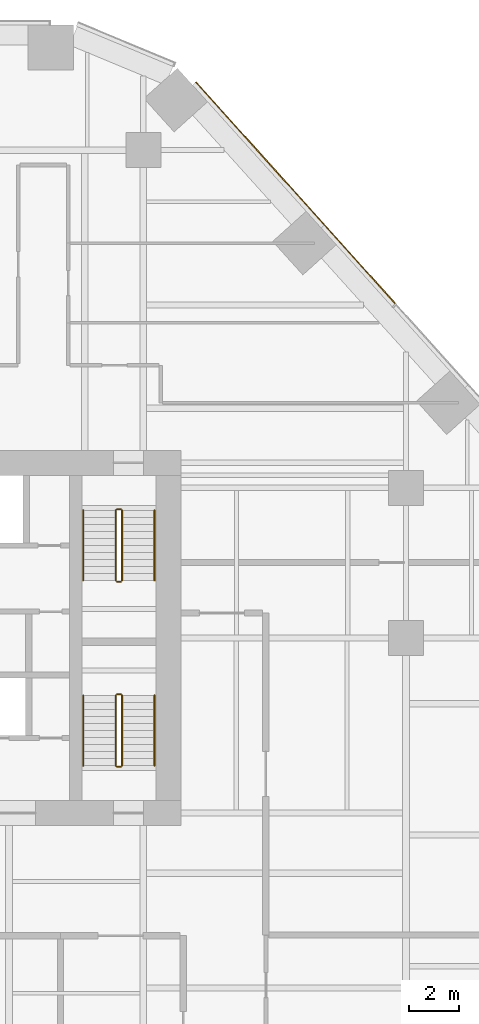
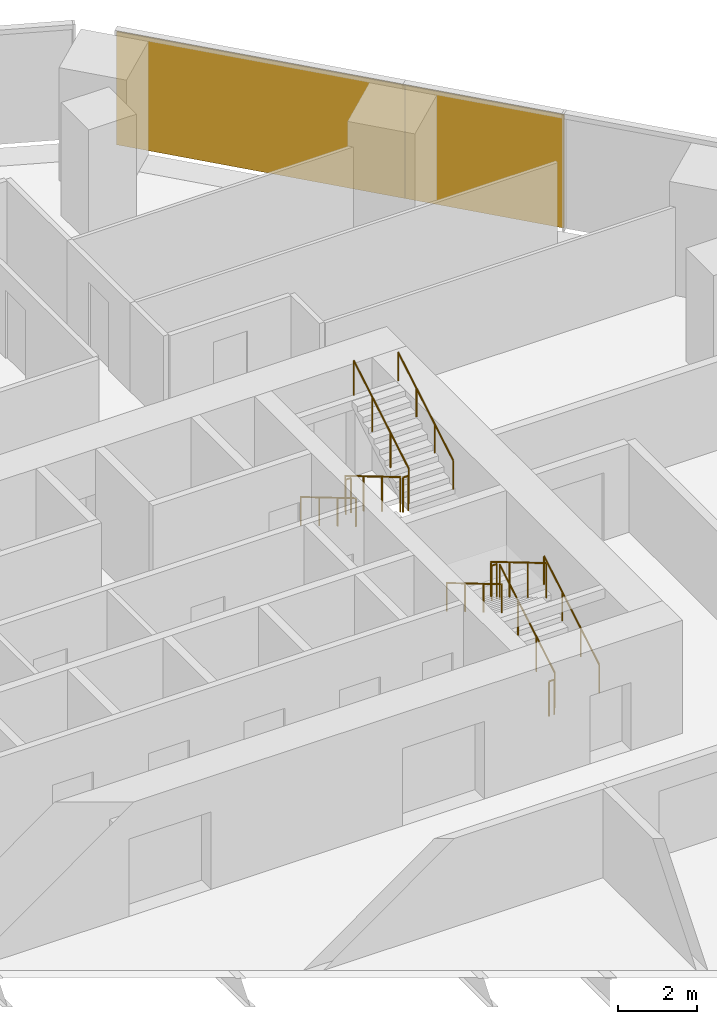
# One storey, part 19 of 20: 12 railings, 2 coverings, 1 element without a shape of its own.
"""IFC4 building model written with IfcOpenShell, lengths in metres."""

from ifc_helpers import new_model, si_unit, direction, frame, origin, origin_2d, place, context, subcontext, project, spatial, rectangle, circle, extrude, material, layer, layer_set, type_object, element, aggregate, save


model = new_model("IFC4")

# Units and contexts
model_context = context("Model", 3, precision=1e-05, world=origin(), true_north=direction((0.0, 1.0)))
body_context = subcontext(model_context, "Body", "Model", "MODEL_VIEW")
ifc_project = project(units=[si_unit("LENGTHUNIT", "METRE"), si_unit("AREAUNIT", "SQUARE_METRE"), si_unit("VOLUMEUNIT", "CUBIC_METRE"), si_unit("PLANEANGLEUNIT", "RADIAN"), si_unit("MASSUNIT", "GRAM", prefix="KILO")], contexts=[model_context])

# Site, building, storey
site_placement = place(None, origin())
site = spatial("IfcSite", under=ifc_project, at=site_placement, CompositionType="ELEMENT")
building_placement = place(site_placement, origin())
building = spatial("IfcBuilding", under=site, at=building_placement, Name="Isthmus Gate Tower", CompositionType="ELEMENT")
storey_placement = place(building_placement, frame((0.0, 0.0, 43.300048828125)))
storey = spatial("IfcBuildingStorey", under=building, at=storey_placement, Name="L08", CompositionType="ELEMENT", Elevation=43.300048828125)

# Curtain wall, coverings
ifc_material_1 = material(Name="Aluminium, pale champagne anodised", Category="aluminium")
ifc_layer_1 = layer(ifc_material_1, 0.199951171875)
ifc_layer_set_1 = layer_set([ifc_layer_1], Name="CW-1 UNITISED CURTAIN WALL 200 DEEP")
curtain_wall_type = type_object("IfcCurtainWallType", Name="CW-1 UNITISED CURTAIN WALL 200 DEEP", PredefinedType="NOTDEFINED", material=ifc_layer_set_1)
curtain_wall_placement = place(storey_placement, origin())
curtain_wall = element("IfcCurtainWall", 1, at=curtain_wall_placement, inside=storey, type_object=curtain_wall_type, Name="CW-1 NE L08", PredefinedType="NOTDEFINED")
ifc_material_2 = material(Name="Aluminium composite panel, pale champagne anodised", Category="aluminium")
ifc_layer_2 = layer(ifc_material_2, 0.0400390625)
ifc_layer_set_2 = layer_set([ifc_layer_2], Name="CW-1 PALE METAL PANEL 40")
covering_type = type_object("IfcCoveringType", Name="CW-1 PALE METAL PANEL 40", PredefinedType="CLADDING", material=ifc_layer_set_2)
covering_1_placement = place(storey_placement, frame((22.1630859375, 22.4326171875, 0.0), z_axis=(0.0, 0.0, 1.0), x_axis=(-0.669130606359, 0.743144825477, 0.0)))
covering_1 = element("IfcCovering", 2, at=covering_1_placement, type_object=covering_type, Name="CW-1 pale metal panel", PredefinedType="CLADDING", context=body_context, shape_type="SweptSolid", body=[
    extrude(rectangle(XDim=4.234619140625, YDim=0.0400390625, at=origin_2d()), origin(), (0.0, 0.0, 1.0), 3.5),
])
covering_2_placement = place(storey_placement, frame((18.173583984375, 26.86328125, 0.0), z_axis=(0.0, 0.0, 1.0), x_axis=(-0.669130606359, 0.743144825477, 0.0)))
covering_2 = element("IfcCovering", 3, at=covering_2_placement, type_object=covering_type, Name="CW-1 pale metal panel", PredefinedType="CLADDING", context=body_context, shape_type="SweptSolid", body=[
    extrude(rectangle(XDim=7.689453125, YDim=0.0400390625, at=origin_2d()), origin(), (0.0, 0.0, 1.0), 3.5),
])
aggregate(curtain_wall, [covering_1, covering_2])

# Railings
ifc_material_3 = material(Name="Stainless steel balustrade", Category="steel")
railing_type_1 = type_object("IfcRailingType", Name="STAIR GUARD 1100", PredefinedType="GUARDRAIL", material=ifc_material_3)
railing_1_placement = place(storey_placement, frame((12.39990234375, 12.60009765625, 0.165771484375)))
element("IfcRailing", 4, at=railing_1_placement, inside=storey, type_object=railing_type_1, Name="L08 ST2 stair guard 1", PredefinedType="GUARDRAIL", context=body_context, shape_type="SweptSolid", body=[
    extrude(circle(Radius=0.02392578125, at=origin_2d()), frame((0.0, 0.0, 1.076171875), z_axis=(0.0, -0.860306154799, 0.50977771628), x_axis=(1.0, 0.0, 0.0)), (0.0, 0.0, 1.0), 3.254638671875),
    extrude(circle(Radius=0.02099609375, at=origin_2d()), origin(), (0.0, 0.0, 1.0), 1.052001953125),
    extrude(circle(Radius=0.02099609375, at=origin_2d()), frame((0.0, -0.933349609375, 0.552978515625)), (0.0, 0.0, 1.0), 1.052001953125),
    extrude(circle(Radius=0.02099609375, at=origin_2d()), frame((0.0, -1.86669921875, 1.106201171875)), (0.0, 0.0, 1.0), 1.052001953125),
    extrude(circle(Radius=0.02099609375, at=origin_2d()), frame((0.0, -2.800048828125, 1.6591796875)), (0.0, 0.0, 1.0), 1.052001953125),
])
railing_2_placement = place(storey_placement, frame((12.449951171875, 9.75, 1.824951171875)))
element("IfcRailing", 5, at=railing_2_placement, inside=storey, type_object=railing_type_1, Name="L08 ST2 stair guard 2", PredefinedType="GUARDRAIL", context=body_context, shape_type="SweptSolid", body=[
    extrude(circle(Radius=0.02392578125, at=origin_2d()), frame((0.0, 0.0, 1.076171875), z_axis=(1.0, 0.0, 0.0), x_axis=(0.0, 1.0, 0.0)), (0.0, 0.0, 1.0), 0.150146484375),
    extrude(circle(Radius=0.02099609375, at=origin_2d()), origin(), (0.0, 0.0, 1.0), 1.052001953125),
    extrude(circle(Radius=0.02099609375, at=origin_2d()), frame((0.150146484375, 0.0, 0.0)), (0.0, 0.0, 1.0), 1.052001953125),
])
railing_3_placement = place(storey_placement, frame((12.64990234375, 9.800048828125, 1.990966796875)))
element("IfcRailing", 6, at=railing_3_placement, inside=storey, type_object=railing_type_1, Name="L08 ST2 stair guard 3", PredefinedType="GUARDRAIL", context=body_context, shape_type="SweptSolid", body=[
    extrude(circle(Radius=0.02392578125, at=origin_2d()), frame((0.0, 0.0, 1.076171875), z_axis=(0.0, 0.860339051648, 0.50972219513), x_axis=(-1.0, 0.0, 0.0)), (0.0, 0.0, 1.0), 3.254638671875),
    extrude(circle(Radius=0.02099609375, at=origin_2d()), origin(), (0.0, 0.0, 1.0), 1.052001953125),
    extrude(circle(Radius=0.02099609375, at=origin_2d()), frame((0.0, 0.933349609375, 0.552978515625)), (0.0, 0.0, 1.0), 1.052001953125),
    extrude(circle(Radius=0.02099609375, at=origin_2d()), frame((0.0, 1.86669921875, 1.10595703125)), (0.0, 0.0, 1.0), 1.052001953125),
    extrude(circle(Radius=0.02099609375, at=origin_2d()), frame((0.0, 2.800048828125, 1.658935546875)), (0.0, 0.0, 1.0), 1.052001953125),
])
railing_4_placement = place(storey_placement, frame((12.449951171875, 12.64990234375, 0.0)))
element("IfcRailing", 7, at=railing_4_placement, inside=storey, type_object=railing_type_1, Name="L08 ST2 stair guard 4", PredefinedType="GUARDRAIL", context=body_context, shape_type="SweptSolid", body=[
    extrude(circle(Radius=0.02392578125, at=origin_2d()), frame((0.0, 0.0, 1.076171875), z_axis=(1.0, 0.0, 0.0), x_axis=(0.0, 1.0, 0.0)), (0.0, 0.0, 1.0), 0.150146484375),
    extrude(circle(Radius=0.02099609375, at=origin_2d()), origin(), (0.0, 0.0, 1.0), 1.052001953125),
    extrude(circle(Radius=0.02099609375, at=origin_2d()), frame((0.150146484375, 0.0, 0.0)), (0.0, 0.0, 1.0), 1.052001953125),
])
railing_5_placement = place(storey_placement, frame((12.64990234375, 2.39990234375, 0.165771484375)))
element("IfcRailing", 8, at=railing_5_placement, inside=storey, type_object=railing_type_1, Name="L08 ST8 stair guard 1", PredefinedType="GUARDRAIL", context=body_context, shape_type="SweptSolid", body=[
    extrude(circle(Radius=0.02392578125, at=origin_2d()), frame((0.0, 0.0, 1.076171875), z_axis=(0.0, 0.860306154799, 0.50977771628), x_axis=(-1.0, 0.0, 0.0)), (0.0, 0.0, 1.0), 3.254638671875),
    extrude(circle(Radius=0.02099609375, at=origin_2d()), origin(), (0.0, 0.0, 1.0), 1.052001953125),
    extrude(circle(Radius=0.02099609375, at=origin_2d()), frame((0.0, 0.933349609375, 0.552978515625)), (0.0, 0.0, 1.0), 1.052001953125),
    extrude(circle(Radius=0.02099609375, at=origin_2d()), frame((0.0, 1.86669921875, 1.106201171875)), (0.0, 0.0, 1.0), 1.052001953125),
    extrude(circle(Radius=0.02099609375, at=origin_2d()), frame((0.0, 2.800048828125, 1.6591796875)), (0.0, 0.0, 1.0), 1.052001953125),
])
railing_6_placement = place(storey_placement, frame((12.60009765625, 5.25, 1.824951171875)))
element("IfcRailing", 9, at=railing_6_placement, inside=storey, type_object=railing_type_1, Name="L08 ST8 stair guard 2", PredefinedType="GUARDRAIL", context=body_context, shape_type="SweptSolid", body=[
    extrude(circle(Radius=0.02392578125, at=origin_2d()), frame((0.0, 0.0, 1.076171875), z_axis=(-1.0, 0.0, 0.0), x_axis=(0.0, -1.0, 0.0)), (0.0, 0.0, 1.0), 0.150146484375),
    extrude(circle(Radius=0.02099609375, at=origin_2d()), origin(), (0.0, 0.0, 1.0), 1.052001953125),
    extrude(circle(Radius=0.02099609375, at=origin_2d()), frame((-0.150146484375, 0.0, 0.0)), (0.0, 0.0, 1.0), 1.052001953125),
])
railing_7_placement = place(storey_placement, frame((12.39990234375, 5.199951171875, 1.990966796875)))
element("IfcRailing", 10, at=railing_7_placement, inside=storey, type_object=railing_type_1, Name="L08 ST8 stair guard 3", PredefinedType="GUARDRAIL", context=body_context, shape_type="SweptSolid", body=[
    extrude(circle(Radius=0.02392578125, at=origin_2d()), frame((0.0, 0.0, 1.076171875), z_axis=(0.0, -0.860339051648, 0.50972219513), x_axis=(1.0, 0.0, 0.0)), (0.0, 0.0, 1.0), 3.254638671875),
    extrude(circle(Radius=0.02099609375, at=origin_2d()), origin(), (0.0, 0.0, 1.0), 1.052001953125),
    extrude(circle(Radius=0.02099609375, at=origin_2d()), frame((0.0, -0.933349609375, 0.552978515625)), (0.0, 0.0, 1.0), 1.052001953125),
    extrude(circle(Radius=0.02099609375, at=origin_2d()), frame((0.0, -1.86669921875, 1.10595703125)), (0.0, 0.0, 1.0), 1.052001953125),
    extrude(circle(Radius=0.02099609375, at=origin_2d()), frame((0.0, -2.800048828125, 1.658935546875)), (0.0, 0.0, 1.0), 1.052001953125),
])
railing_8_placement = place(storey_placement, frame((12.60009765625, 2.35009765625, 0.0)))
element("IfcRailing", 11, at=railing_8_placement, inside=storey, type_object=railing_type_1, Name="L08 ST8 stair guard 4", PredefinedType="GUARDRAIL", context=body_context, shape_type="SweptSolid", body=[
    extrude(circle(Radius=0.02392578125, at=origin_2d()), frame((0.0, 0.0, 1.076171875), z_axis=(-1.0, 0.0, 0.0), x_axis=(0.0, -1.0, 0.0)), (0.0, 0.0, 1.0), 0.150146484375),
    extrude(circle(Radius=0.02099609375, at=origin_2d()), origin(), (0.0, 0.0, 1.0), 1.052001953125),
    extrude(circle(Radius=0.02099609375, at=origin_2d()), frame((-0.150146484375, 0.0, 0.0)), (0.0, 0.0, 1.0), 1.052001953125),
])
ifc_material_4 = material(Name="Stainless steel handrail", Category="steel")
railing_type_2 = type_object("IfcRailingType", Name="STAIR HANDRAIL 900", PredefinedType="HANDRAIL", material=ifc_material_4)
railing_9_placement = place(storey_placement, frame((11.10009765625, 12.60009765625, 0.165771484375)))
element("IfcRailing", 12, at=railing_9_placement, inside=storey, type_object=railing_type_2, Name="L08 ST2 stair handrail 1", PredefinedType="HANDRAIL", context=body_context, shape_type="SweptSolid", body=[
    extrude(circle(Radius=0.02392578125, at=origin_2d()), frame((0.0, 0.0, 0.8759765625), z_axis=(0.0, -0.860306154799, 0.50977771628), x_axis=(1.0, 0.0, 0.0)), (0.0, 0.0, 1.0), 3.254638671875),
    extrude(circle(Radius=0.02099609375, at=origin_2d()), origin(), (0.0, 0.0, 1.0), 0.851806640625),
    extrude(circle(Radius=0.02099609375, at=origin_2d()), frame((0.0, -0.933349609375, 0.552978515625)), (0.0, 0.0, 1.0), 0.851806640625),
    extrude(circle(Radius=0.02099609375, at=origin_2d()), frame((0.0, -1.86669921875, 1.106201171875)), (0.0, 0.0, 1.0), 0.851806640625),
    extrude(circle(Radius=0.02099609375, at=origin_2d()), frame((0.0, -2.800048828125, 1.6591796875)), (0.0, 0.0, 1.0), 0.851806640625),
])
railing_10_placement = place(storey_placement, frame((13.949951171875, 9.800048828125, 1.990966796875)))
element("IfcRailing", 13, at=railing_10_placement, inside=storey, type_object=railing_type_2, Name="L08 ST2 stair handrail 2", PredefinedType="HANDRAIL", context=body_context, shape_type="SweptSolid", body=[
    extrude(circle(Radius=0.02392578125, at=origin_2d()), frame((0.0, 0.0, 0.8759765625), z_axis=(0.0, 0.860339051648, 0.50972219513), x_axis=(-1.0, 0.0, 0.0)), (0.0, 0.0, 1.0), 3.254638671875),
    extrude(circle(Radius=0.02099609375, at=origin_2d()), origin(), (0.0, 0.0, 1.0), 0.851806640625),
    extrude(circle(Radius=0.02099609375, at=origin_2d()), frame((0.0, 0.933349609375, 0.552978515625)), (0.0, 0.0, 1.0), 0.851806640625),
    extrude(circle(Radius=0.02099609375, at=origin_2d()), frame((0.0, 1.86669921875, 1.10595703125)), (0.0, 0.0, 1.0), 0.851806640625),
    extrude(circle(Radius=0.02099609375, at=origin_2d()), frame((0.0, 2.800048828125, 1.658935546875)), (0.0, 0.0, 1.0), 0.851806640625),
])
railing_11_placement = place(storey_placement, frame((13.949951171875, 2.39990234375, 0.165771484375)))
element("IfcRailing", 14, at=railing_11_placement, inside=storey, type_object=railing_type_2, Name="L08 ST8 stair handrail 1", PredefinedType="HANDRAIL", context=body_context, shape_type="SweptSolid", body=[
    extrude(circle(Radius=0.02392578125, at=origin_2d()), frame((0.0, 0.0, 0.8759765625), z_axis=(0.0, 0.860306154799, 0.50977771628), x_axis=(-1.0, 0.0, 0.0)), (0.0, 0.0, 1.0), 3.254638671875),
    extrude(circle(Radius=0.02099609375, at=origin_2d()), origin(), (0.0, 0.0, 1.0), 0.851806640625),
    extrude(circle(Radius=0.02099609375, at=origin_2d()), frame((0.0, 0.933349609375, 0.552978515625)), (0.0, 0.0, 1.0), 0.851806640625),
    extrude(circle(Radius=0.02099609375, at=origin_2d()), frame((0.0, 1.86669921875, 1.106201171875)), (0.0, 0.0, 1.0), 0.851806640625),
    extrude(circle(Radius=0.02099609375, at=origin_2d()), frame((0.0, 2.800048828125, 1.6591796875)), (0.0, 0.0, 1.0), 0.851806640625),
])
railing_12_placement = place(storey_placement, frame((11.10009765625, 5.199951171875, 1.990966796875)))
element("IfcRailing", 15, at=railing_12_placement, inside=storey, type_object=railing_type_2, Name="L08 ST8 stair handrail 2", PredefinedType="HANDRAIL", context=body_context, shape_type="SweptSolid", body=[
    extrude(circle(Radius=0.02392578125, at=origin_2d()), frame((0.0, 0.0, 0.8759765625), z_axis=(0.0, -0.860339051648, 0.50972219513), x_axis=(1.0, 0.0, 0.0)), (0.0, 0.0, 1.0), 3.254638671875),
    extrude(circle(Radius=0.02099609375, at=origin_2d()), origin(), (0.0, 0.0, 1.0), 0.851806640625),
    extrude(circle(Radius=0.02099609375, at=origin_2d()), frame((0.0, -0.933349609375, 0.552978515625)), (0.0, 0.0, 1.0), 0.851806640625),
    extrude(circle(Radius=0.02099609375, at=origin_2d()), frame((0.0, -1.86669921875, 1.10595703125)), (0.0, 0.0, 1.0), 0.851806640625),
    extrude(circle(Radius=0.02099609375, at=origin_2d()), frame((0.0, -2.800048828125, 1.658935546875)), (0.0, 0.0, 1.0), 0.851806640625),
])

save(model, "model.ifc")
